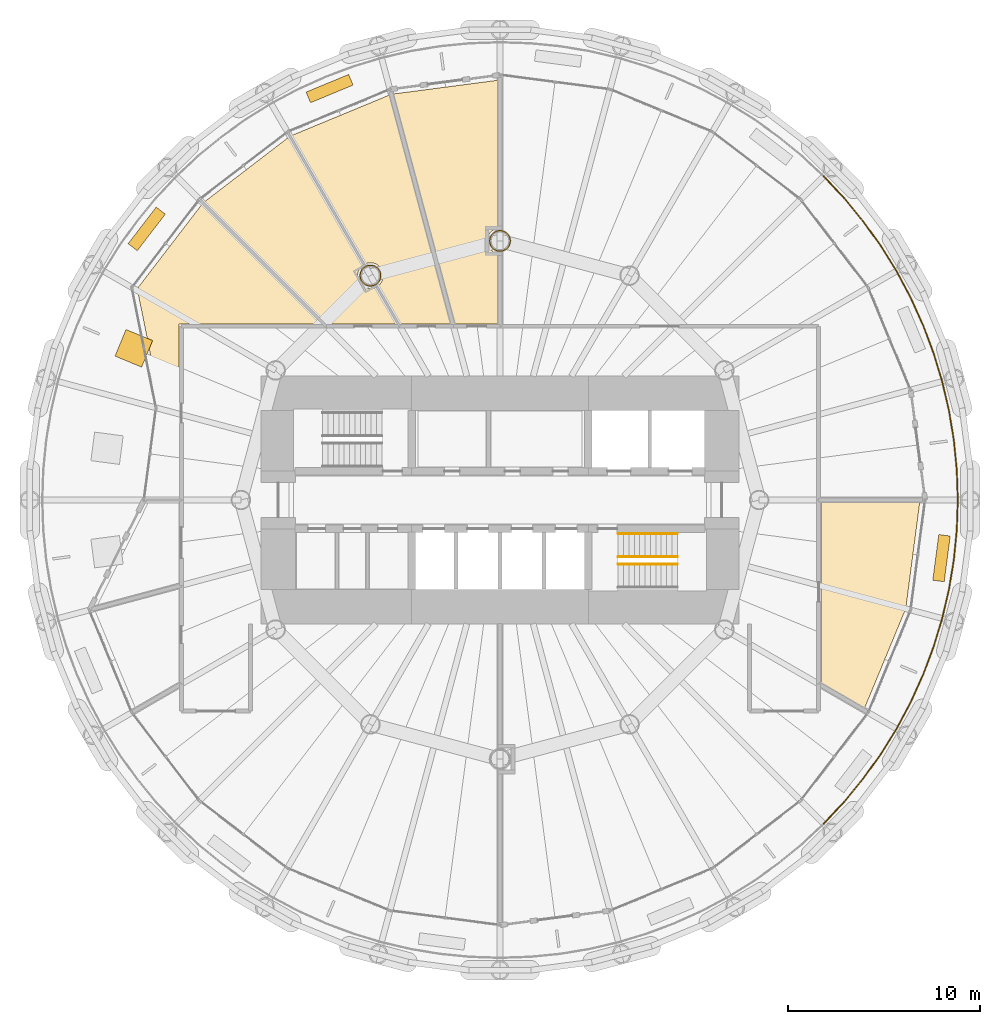
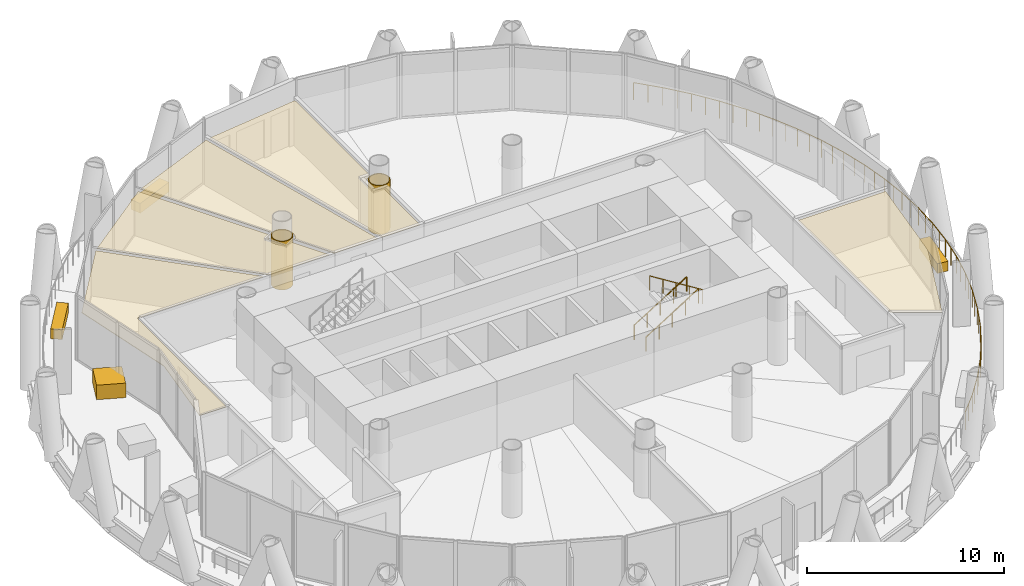
# One storey, part 15 of 16: 11 coverings, 4 railings.
"""IFC4 building model written with IfcOpenShell, lengths in metres."""

from ifc_helpers import new_model, si_unit, direction, frame, origin, origin_2d, place, context, subcontext, project, spatial, polyline, rectangle, circle, outline, extrude, material, layer, layer_set, type_object, element, save


model = new_model("IFC4")

# Units and contexts
model_context = context("Model", 3, precision=1e-05, world=origin(), true_north=direction((0.0, 1.0)))
body_context = subcontext(model_context, "Body", "Model", "MODEL_VIEW")
ifc_project = project(units=[si_unit("LENGTHUNIT", "METRE"), si_unit("AREAUNIT", "SQUARE_METRE"), si_unit("VOLUMEUNIT", "CUBIC_METRE"), si_unit("PLANEANGLEUNIT", "RADIAN"), si_unit("MASSUNIT", "GRAM", prefix="KILO")], contexts=[model_context])

# Site, building, storey
site_placement = place(None, origin())
site = spatial("IfcSite", under=ifc_project, at=site_placement, CompositionType="ELEMENT")
building_placement = place(site_placement, origin())
building = spatial("IfcBuilding", under=site, at=building_placement, Name="Qaws Media Tower", CompositionType="ELEMENT")
storey_placement = place(building_placement, frame((0.0, 0.0, 173.0)))
storey = spatial("IfcBuildingStorey", under=building, at=storey_placement, Name="L39", CompositionType="ELEMENT", Elevation=173.0)

# Covering
ifc_material_1 = material(Name="40 perforated acoustic panels with mineral wool backing, suspended", Category="mineral fibre")
ifc_layer_1 = layer(ifc_material_1, 0.0400390625)
ifc_layer_set_1 = layer_set([ifc_layer_1], Name="Acoustic panel ceiling 40")
covering_type_1 = type_object("IfcCoveringType", Name="Acoustic panel ceiling 40", PredefinedType="CEILING", material=ifc_layer_set_1)
covering_1_placement = place(storey_placement, frame((0.0, 0.0, 2.85009765625)))
element("IfcCovering", 1, at=covering_1_placement, inside=storey, type_object=covering_type_1, Name="CL3 ceiling L39-06 Meeting room", PredefinedType="CEILING", context=body_context, shape_type="SweptSolid", body=[
    extrude(outline(polyline([(42.347900390625, 54.81005859375), (41.098388671875, 61.010009765625), (44.455810546875, 65.38525390625), (50.678466796875, 59.16259765625), (43.28759765625, 59.16259765625), (43.28759765625, 50.112548828125), (41.7294921875, 50.112548828125), (42.347900390625, 54.81005859375)])), origin(), (0.0, 0.0, 1.0), 0.039794921875),
])

# Railing
ifc_material_2 = material(Name="Stainless steel and glass guard", Category="steel")
railing_type_1 = type_object("IfcRailingType", Name="Balcony guard 1100", PredefinedType="GUARDRAIL", material=ifc_material_2)
railing_1_placement = place(storey_placement, frame((76.864501953125, 33.135498046875, 0.0)))
element("IfcRailing", 2, at=railing_1_placement, inside=storey, type_object=railing_type_1, Name="GR1 balcony guard L39-4", PredefinedType="GUARDRAIL", context=body_context, shape_type="SweptSolid", body=[
    extrude(circle(Radius=0.02392578125, at=origin_2d()), frame((0.0, 0.0, 1.076171875), z_axis=(0.683576811025, 0.729878581292, 0.0), x_axis=(-0.729878581292, 0.683576811025, 0.0)), (0.0, 0.0, 1.0), 1.560791015625),
    extrude(circle(Radius=0.02392578125, at=origin_2d()), frame((1.06689453125, 1.13916015625, 1.076171875), z_axis=(0.634395723596, 0.773008451366, 0.0), x_axis=(-0.773008451366, 0.634395723596, 0.0)), (0.0, 0.0, 1.0), 1.560546875),
    extrude(circle(Radius=0.02392578125, at=origin_2d()), frame((2.056884765625, 2.345458984375, 1.076171875), z_axis=(0.582465550566, 0.812855388371, 0.0), x_axis=(-0.812855388371, 0.582465550566, 0.0)), (0.0, 0.0, 1.0), 1.56103515625),
    extrude(circle(Radius=0.02392578125, at=origin_2d()), frame((2.966064453125, 3.6142578125, 1.076171875), z_axis=(0.528141483191, 0.849156389443, 0.0), x_axis=(-0.849156389443, 0.528141483191, 0.0)), (0.0, 0.0, 1.0), 1.560546875),
    extrude(circle(Radius=0.02392578125, at=origin_2d()), frame((3.790283203125, 4.939453125, 1.076171875), z_axis=(0.471326923113, 0.881958577003, 0.0), x_axis=(-0.881958577003, 0.471326923113, 0.0)), (0.0, 0.0, 1.0), 1.560791015625),
    extrude(circle(Radius=0.02392578125, at=origin_2d()), frame((4.52587890625, 6.31591796875, 1.076171875), z_axis=(0.412659401438, 0.910885403553, 0.0), x_axis=(-0.910885403553, 0.412659401438, 0.0)), (0.0, 0.0, 1.0), 1.560791015625),
    extrude(circle(Radius=0.02392578125, at=origin_2d()), frame((5.169921875, 7.737548828125, 1.076171875), z_axis=(0.352271731208, 0.935897765459, 0.0), x_axis=(-0.935897765459, 0.352271731208, 0.0)), (0.0, 0.0, 1.0), 1.560791015625),
    extrude(circle(Radius=0.02392578125, at=origin_2d()), frame((5.7197265625, 9.1982421875, 1.076171875), z_axis=(0.290346037683, 0.956921720101, 0.0), x_axis=(-0.956921720101, 0.290346037683, 0.0)), (0.0, 0.0, 1.0), 1.560546875),
    extrude(circle(Radius=0.02392578125, at=origin_2d()), frame((6.1728515625, 10.691650390625, 1.076171875), z_axis=(0.227120829425, 0.973866586777, 0.0), x_axis=(-0.973866586777, 0.227120829425, 0.0)), (0.0, 0.0, 1.0), 1.560791015625),
    extrude(circle(Radius=0.02392578125, at=origin_2d()), frame((6.52734375, 12.211669921875, 1.076171875), z_axis=(0.162851323247, 0.986650620289, 0.0), x_axis=(-0.986650620289, 0.162851323247, 0.0)), (0.0, 0.0, 1.0), 1.560546875),
    extrude(circle(Radius=0.02392578125, at=origin_2d()), frame((6.781494140625, 13.75146484375, 1.076171875), z_axis=(0.097923827319, 0.995193912784, 0.0), x_axis=(-0.995193912784, 0.097923827319, 0.0)), (0.0, 0.0, 1.0), 1.560791015625),
    extrude(circle(Radius=0.02392578125, at=origin_2d()), frame((6.934326171875, 15.3046875, 1.076171875), z_axis=(0.032851252607, 0.999460251937, 0.0), x_axis=(-0.999460251937, 0.032851252607, 0.0)), (0.0, 0.0, 1.0), 1.560546875),
    extrude(circle(Radius=0.02392578125, at=origin_2d()), frame((6.985595703125, 16.864501953125, 1.076171875), z_axis=(-0.032851252607, 0.999460251937, 0.0), x_axis=(-0.999460251937, -0.032851252607, 0.0)), (0.0, 0.0, 1.0), 1.560546875),
    extrude(circle(Radius=0.02392578125, at=origin_2d()), frame((6.934326171875, 18.42431640625, 1.076171875), z_axis=(-0.097923827319, 0.995193912784, 0.0), x_axis=(-0.995193912784, -0.097923827319, 0.0)), (0.0, 0.0, 1.0), 1.560791015625),
    extrude(circle(Radius=0.02392578125, at=origin_2d()), frame((6.781494140625, 19.9775390625, 1.076171875), z_axis=(-0.162851323247, 0.986650620289, 0.0), x_axis=(-0.986650620289, -0.162851323247, 0.0)), (0.0, 0.0, 1.0), 1.560546875),
    extrude(circle(Radius=0.02392578125, at=origin_2d()), frame((6.52734375, 21.517333984375, 1.076171875), z_axis=(-0.227120829425, 0.973866586777, 0.0), x_axis=(-0.973866586777, -0.227120829425, 0.0)), (0.0, 0.0, 1.0), 1.560791015625),
    extrude(circle(Radius=0.02392578125, at=origin_2d()), frame((6.1728515625, 23.037353515625, 1.076171875), z_axis=(-0.290346037683, 0.956921720101, 0.0), x_axis=(-0.956921720101, -0.290346037683, 0.0)), (0.0, 0.0, 1.0), 1.560546875),
    extrude(circle(Radius=0.02392578125, at=origin_2d()), frame((5.7197265625, 24.53076171875, 1.076171875), z_axis=(-0.352271731208, 0.935897765459, 0.0), x_axis=(-0.935897765459, -0.352271731208, 0.0)), (0.0, 0.0, 1.0), 1.560791015625),
    extrude(circle(Radius=0.02392578125, at=origin_2d()), frame((5.169921875, 25.991455078125, 1.076171875), z_axis=(-0.412659401438, 0.910885403553, 0.0), x_axis=(-0.910885403553, -0.412659401438, 0.0)), (0.0, 0.0, 1.0), 1.560791015625),
    extrude(circle(Radius=0.02392578125, at=origin_2d()), frame((4.52587890625, 27.4130859375, 1.076171875), z_axis=(-0.471326923113, 0.881958577003, 0.0), x_axis=(-0.881958577003, -0.471326923113, 0.0)), (0.0, 0.0, 1.0), 1.560791015625),
    extrude(circle(Radius=0.02392578125, at=origin_2d()), frame((3.790283203125, 28.78955078125, 1.076171875), z_axis=(-0.528141483191, 0.849156389443, 0.0), x_axis=(-0.849156389443, -0.528141483191, 0.0)), (0.0, 0.0, 1.0), 1.560546875),
    extrude(circle(Radius=0.02392578125, at=origin_2d()), frame((2.966064453125, 30.11474609375, 1.076171875), z_axis=(-0.582465550566, 0.812855388371, 0.0), x_axis=(-0.812855388371, -0.582465550566, 0.0)), (0.0, 0.0, 1.0), 1.56103515625),
    extrude(circle(Radius=0.02392578125, at=origin_2d()), frame((2.056884765625, 31.383544921875, 1.076171875), z_axis=(-0.634395723596, 0.773008451366, 0.0), x_axis=(-0.773008451366, -0.634395723596, 0.0)), (0.0, 0.0, 1.0), 1.560546875),
    extrude(circle(Radius=0.02392578125, at=origin_2d()), frame((1.06689453125, 32.58984375, 1.076171875), z_axis=(-0.683576811025, 0.729878581292, 0.0), x_axis=(-0.729878581292, -0.683576811025, 0.0)), (0.0, 0.0, 1.0), 1.560791015625),
    extrude(circle(Radius=0.02099609375, at=origin_2d()), origin(), (0.0, 0.0, 1.0), 1.052001953125),
    extrude(circle(Radius=0.02099609375, at=origin_2d()), frame((0.533447265625, 0.569580078125, 0.0)), (0.0, 0.0, 1.0), 1.052001953125),
    extrude(circle(Radius=0.02099609375, at=origin_2d()), frame((1.06689453125, 1.13916015625, 0.0)), (0.0, 0.0, 1.0), 1.052001953125),
    extrude(circle(Radius=0.02099609375, at=origin_2d()), frame((1.56201171875, 1.7421875, 0.0)), (0.0, 0.0, 1.0), 1.052001953125),
    extrude(circle(Radius=0.02099609375, at=origin_2d()), frame((2.056884765625, 2.345458984375, 0.0)), (0.0, 0.0, 1.0), 1.052001953125),
    extrude(circle(Radius=0.02099609375, at=origin_2d()), frame((2.511474609375, 2.97998046875, 0.0)), (0.0, 0.0, 1.0), 1.052001953125),
    extrude(circle(Radius=0.02099609375, at=origin_2d()), frame((2.966064453125, 3.6142578125, 0.0)), (0.0, 0.0, 1.0), 1.052001953125),
    extrude(circle(Radius=0.02099609375, at=origin_2d()), frame((3.378173828125, 4.27685546875, 0.0)), (0.0, 0.0, 1.0), 1.052001953125),
    extrude(circle(Radius=0.02099609375, at=origin_2d()), frame((3.790283203125, 4.939453125, 0.0)), (0.0, 0.0, 1.0), 1.052001953125),
    extrude(circle(Radius=0.02099609375, at=origin_2d()), frame((4.158203125, 5.627685546875, 0.0)), (0.0, 0.0, 1.0), 1.052001953125),
    extrude(circle(Radius=0.02099609375, at=origin_2d()), frame((4.52587890625, 6.31591796875, 0.0)), (0.0, 0.0, 1.0), 1.052001953125),
    extrude(circle(Radius=0.02099609375, at=origin_2d()), frame((4.847900390625, 7.02685546875, 0.0)), (0.0, 0.0, 1.0), 1.052001953125),
    extrude(circle(Radius=0.02099609375, at=origin_2d()), frame((5.169921875, 7.737548828125, 0.0)), (0.0, 0.0, 1.0), 1.052001953125),
    extrude(circle(Radius=0.02099609375, at=origin_2d()), frame((5.44482421875, 8.4677734375, 0.0)), (0.0, 0.0, 1.0), 1.052001953125),
    extrude(circle(Radius=0.02099609375, at=origin_2d()), frame((5.7197265625, 9.1982421875, 0.0)), (0.0, 0.0, 1.0), 1.052001953125),
    extrude(circle(Radius=0.02099609375, at=origin_2d()), frame((5.9462890625, 9.94482421875, 0.0)), (0.0, 0.0, 1.0), 1.052001953125),
    extrude(circle(Radius=0.02099609375, at=origin_2d()), frame((6.1728515625, 10.691650390625, 0.0)), (0.0, 0.0, 1.0), 1.052001953125),
    extrude(circle(Radius=0.02099609375, at=origin_2d()), frame((6.35009765625, 11.45166015625, 0.0)), (0.0, 0.0, 1.0), 1.052001953125),
    extrude(circle(Radius=0.02099609375, at=origin_2d()), frame((6.52734375, 12.211669921875, 0.0)), (0.0, 0.0, 1.0), 1.052001953125),
    extrude(circle(Radius=0.02099609375, at=origin_2d()), frame((6.654296875, 12.9814453125, 0.0)), (0.0, 0.0, 1.0), 1.052001953125),
    extrude(circle(Radius=0.02099609375, at=origin_2d()), frame((6.781494140625, 13.75146484375, 0.0)), (0.0, 0.0, 1.0), 1.052001953125),
    extrude(circle(Radius=0.02099609375, at=origin_2d()), frame((6.85791015625, 14.528076171875, 0.0)), (0.0, 0.0, 1.0), 1.052001953125),
    extrude(circle(Radius=0.02099609375, at=origin_2d()), frame((6.934326171875, 15.3046875, 0.0)), (0.0, 0.0, 1.0), 1.052001953125),
    extrude(circle(Radius=0.02099609375, at=origin_2d()), frame((6.9599609375, 16.08447265625, 0.0)), (0.0, 0.0, 1.0), 1.052001953125),
    extrude(circle(Radius=0.02099609375, at=origin_2d()), frame((6.985595703125, 16.864501953125, 0.0)), (0.0, 0.0, 1.0), 1.052001953125),
    extrude(circle(Radius=0.02099609375, at=origin_2d()), frame((6.9599609375, 17.64453125, 0.0)), (0.0, 0.0, 1.0), 1.052001953125),
    extrude(circle(Radius=0.02099609375, at=origin_2d()), frame((6.934326171875, 18.42431640625, 0.0)), (0.0, 0.0, 1.0), 1.052001953125),
    extrude(circle(Radius=0.02099609375, at=origin_2d()), frame((6.85791015625, 19.200927734375, 0.0)), (0.0, 0.0, 1.0), 1.052001953125),
    extrude(circle(Radius=0.02099609375, at=origin_2d()), frame((6.781494140625, 19.9775390625, 0.0)), (0.0, 0.0, 1.0), 1.052001953125),
    extrude(circle(Radius=0.02099609375, at=origin_2d()), frame((6.654296875, 20.74755859375, 0.0)), (0.0, 0.0, 1.0), 1.052001953125),
    extrude(circle(Radius=0.02099609375, at=origin_2d()), frame((6.52734375, 21.517333984375, 0.0)), (0.0, 0.0, 1.0), 1.052001953125),
    extrude(circle(Radius=0.02099609375, at=origin_2d()), frame((6.35009765625, 22.27734375, 0.0)), (0.0, 0.0, 1.0), 1.052001953125),
    extrude(circle(Radius=0.02099609375, at=origin_2d()), frame((6.1728515625, 23.037353515625, 0.0)), (0.0, 0.0, 1.0), 1.052001953125),
    extrude(circle(Radius=0.02099609375, at=origin_2d()), frame((5.9462890625, 23.7841796875, 0.0)), (0.0, 0.0, 1.0), 1.052001953125),
    extrude(circle(Radius=0.02099609375, at=origin_2d()), frame((5.7197265625, 24.53076171875, 0.0)), (0.0, 0.0, 1.0), 1.052001953125),
    extrude(circle(Radius=0.02099609375, at=origin_2d()), frame((5.44482421875, 25.26123046875, 0.0)), (0.0, 0.0, 1.0), 1.052001953125),
    extrude(circle(Radius=0.02099609375, at=origin_2d()), frame((5.169921875, 25.991455078125, 0.0)), (0.0, 0.0, 1.0), 1.052001953125),
    extrude(circle(Radius=0.02099609375, at=origin_2d()), frame((4.847900390625, 26.7021484375, 0.0)), (0.0, 0.0, 1.0), 1.052001953125),
    extrude(circle(Radius=0.02099609375, at=origin_2d()), frame((4.52587890625, 27.4130859375, 0.0)), (0.0, 0.0, 1.0), 1.052001953125),
    extrude(circle(Radius=0.02099609375, at=origin_2d()), frame((4.158203125, 28.101318359375, 0.0)), (0.0, 0.0, 1.0), 1.052001953125),
    extrude(circle(Radius=0.02099609375, at=origin_2d()), frame((3.790283203125, 28.78955078125, 0.0)), (0.0, 0.0, 1.0), 1.052001953125),
    extrude(circle(Radius=0.02099609375, at=origin_2d()), frame((3.378173828125, 29.4521484375, 0.0)), (0.0, 0.0, 1.0), 1.052001953125),
    extrude(circle(Radius=0.02099609375, at=origin_2d()), frame((2.966064453125, 30.11474609375, 0.0)), (0.0, 0.0, 1.0), 1.052001953125),
    extrude(circle(Radius=0.02099609375, at=origin_2d()), frame((2.511474609375, 30.7490234375, 0.0)), (0.0, 0.0, 1.0), 1.052001953125),
    extrude(circle(Radius=0.02099609375, at=origin_2d()), frame((2.056884765625, 31.383544921875, 0.0)), (0.0, 0.0, 1.0), 1.052001953125),
    extrude(circle(Radius=0.02099609375, at=origin_2d()), frame((1.56201171875, 31.98681640625, 0.0)), (0.0, 0.0, 1.0), 1.052001953125),
    extrude(circle(Radius=0.02099609375, at=origin_2d()), frame((1.06689453125, 32.58984375, 0.0)), (0.0, 0.0, 1.0), 1.052001953125),
    extrude(circle(Radius=0.02099609375, at=origin_2d()), frame((0.533447265625, 33.159423828125, 0.0)), (0.0, 0.0, 1.0), 1.052001953125),
    extrude(circle(Radius=0.02099609375, at=origin_2d()), frame((0.0, 33.72900390625, 0.0)), (0.0, 0.0, 1.0), 1.052001953125),
])

# Coverings
ifc_material_3 = material(Name="Two layers 15 fire-rated gypsum board on steel framing", Category="steel")
ifc_layer_2 = layer(ifc_material_3, 0.050048828125)
ifc_layer_set_2 = layer_set([ifc_layer_2], Name="Column fire casing")
covering_type_2 = type_object("IfcCoveringType", Name="Column fire casing", PredefinedType="CLADDING", material=ifc_layer_set_2)
covering_2_placement = place(storey_placement, origin())
element("IfcCovering", 3, at=covering_2_placement, inside=storey, type_object=covering_type_2, Name="CC1 column casing L39", PredefinedType="CLADDING", context=body_context, shape_type="SweptSolid", body=[
    extrude(outline(polyline([(60.56298828125, 63.5), (60.55810546875, 63.426513671875), (60.543701171875, 63.354248046875), (60.52001953125, 63.284423828125), (60.487548828125, 63.218505859375), (60.44677734375, 63.1572265625), (60.398193359375, 63.101806640625), (60.3427734375, 63.05322265625), (60.281494140625, 63.012451171875), (60.215576171875, 62.97998046875), (60.145751953125, 62.956298828125), (60.073486328125, 62.94189453125), (60.0, 62.93701171875), (59.926513671875, 62.94189453125), (59.854248046875, 62.956298828125), (59.784423828125, 62.97998046875), (59.718505859375, 63.012451171875), (59.6572265625, 63.05322265625), (59.601806640625, 63.101806640625), (59.55322265625, 63.1572265625), (59.512451171875, 63.218505859375), (59.47998046875, 63.284423828125), (59.456298828125, 63.354248046875), (59.44189453125, 63.426513671875), (59.43701171875, 63.5), (59.44189453125, 63.573486328125), (59.456298828125, 63.645751953125), (59.47998046875, 63.715576171875), (59.512451171875, 63.781494140625), (59.55322265625, 63.8427734375), (59.601806640625, 63.898193359375), (59.6572265625, 63.94677734375), (59.718505859375, 63.987548828125), (59.784423828125, 64.02001953125), (59.854248046875, 64.043701171875), (59.926513671875, 64.05810546875), (60.0, 64.06298828125), (60.073486328125, 64.05810546875), (60.145751953125, 64.043701171875), (60.215576171875, 64.02001953125), (60.281494140625, 63.987548828125), (60.3427734375, 63.94677734375), (60.398193359375, 63.898193359375), (60.44677734375, 63.8427734375), (60.487548828125, 63.781494140625), (60.52001953125, 63.715576171875), (60.543701171875, 63.645751953125), (60.55810546875, 63.573486328125), (60.56298828125, 63.5)]), holes=[polyline([(60.510986328125, 63.5), (60.506591796875, 63.433349609375), (60.49365234375, 63.36767578125), (60.47216796875, 63.304443359375), (60.4423828125, 63.244384765625), (60.405517578125, 63.18896484375), (60.361328125, 63.138671875), (60.31103515625, 63.094482421875), (60.255615234375, 63.0576171875), (60.195556640625, 63.02783203125), (60.13232421875, 63.00634765625), (60.066650390625, 62.993408203125), (60.0, 62.989013671875), (59.933349609375, 62.993408203125), (59.86767578125, 63.00634765625), (59.804443359375, 63.02783203125), (59.744384765625, 63.0576171875), (59.68896484375, 63.094482421875), (59.638671875, 63.138671875), (59.594482421875, 63.18896484375), (59.5576171875, 63.244384765625), (59.52783203125, 63.304443359375), (59.50634765625, 63.36767578125), (59.493408203125, 63.433349609375), (59.489013671875, 63.5), (59.493408203125, 63.566650390625), (59.50634765625, 63.63232421875), (59.52783203125, 63.695556640625), (59.5576171875, 63.755615234375), (59.594482421875, 63.81103515625), (59.638671875, 63.861328125), (59.68896484375, 63.905517578125), (59.744384765625, 63.9423828125), (59.804443359375, 63.97216796875), (59.86767578125, 63.99365234375), (59.933349609375, 64.006591796875), (60.0, 64.010986328125), (60.066650390625, 64.006591796875), (60.13232421875, 63.99365234375), (60.195556640625, 63.97216796875), (60.255615234375, 63.9423828125), (60.31103515625, 63.905517578125), (60.361328125, 63.861328125), (60.405517578125, 63.81103515625), (60.4423828125, 63.755615234375), (60.47216796875, 63.695556640625), (60.49365234375, 63.63232421875), (60.506591796875, 63.566650390625), (60.510986328125, 63.5)])]), origin(), (0.0, 0.0, 1.0), 3.011962890625),
])
covering_3_placement = place(storey_placement, origin())
element("IfcCovering", 4, at=covering_3_placement, inside=storey, type_object=covering_type_2, Name="CC1 column casing L39", PredefinedType="CLADDING", context=body_context, shape_type="SweptSolid", body=[
    extrude(outline(polyline([(53.81298828125, 61.69140625), (53.80810546875, 61.617919921875), (53.793701171875, 61.545654296875), (53.77001953125, 61.475830078125), (53.737548828125, 61.409912109375), (53.69677734375, 61.3486328125), (53.648193359375, 61.293212890625), (53.5927734375, 61.24462890625), (53.531494140625, 61.203857421875), (53.465576171875, 61.171142578125), (53.395751953125, 61.1474609375), (53.323486328125, 61.13330078125), (53.25, 61.12841796875), (53.176513671875, 61.13330078125), (53.104248046875, 61.1474609375), (53.034423828125, 61.171142578125), (52.968505859375, 61.203857421875), (52.9072265625, 61.24462890625), (52.851806640625, 61.293212890625), (52.80322265625, 61.3486328125), (52.762451171875, 61.409912109375), (52.72998046875, 61.475830078125), (52.706298828125, 61.545654296875), (52.69189453125, 61.617919921875), (52.68701171875, 61.69140625), (52.69189453125, 61.764892578125), (52.706298828125, 61.837158203125), (52.72998046875, 61.90673828125), (52.762451171875, 61.972900390625), (52.80322265625, 62.0341796875), (52.851806640625, 62.08935546875), (52.9072265625, 62.137939453125), (52.968505859375, 62.178955078125), (53.034423828125, 62.21142578125), (53.104248046875, 62.235107421875), (53.176513671875, 62.24951171875), (53.25, 62.25439453125), (53.323486328125, 62.24951171875), (53.395751953125, 62.235107421875), (53.465576171875, 62.21142578125), (53.531494140625, 62.178955078125), (53.5927734375, 62.137939453125), (53.648193359375, 62.08935546875), (53.69677734375, 62.0341796875), (53.737548828125, 61.972900390625), (53.77001953125, 61.90673828125), (53.793701171875, 61.837158203125), (53.80810546875, 61.764892578125), (53.81298828125, 61.69140625)]), holes=[polyline([(53.760986328125, 61.69140625), (53.756591796875, 61.62451171875), (53.74365234375, 61.55908203125), (53.72216796875, 61.495849609375), (53.6923828125, 61.435791015625), (53.655517578125, 61.38037109375), (53.611328125, 61.330078125), (53.56103515625, 61.285888671875), (53.505615234375, 61.248779296875), (53.445556640625, 61.21923828125), (53.38232421875, 61.19775390625), (53.316650390625, 61.184814453125), (53.25, 61.180419921875), (53.183349609375, 61.184814453125), (53.11767578125, 61.19775390625), (53.054443359375, 61.21923828125), (52.994384765625, 61.248779296875), (52.93896484375, 61.285888671875), (52.888671875, 61.330078125), (52.844482421875, 61.38037109375), (52.8076171875, 61.435791015625), (52.77783203125, 61.495849609375), (52.75634765625, 61.55908203125), (52.743408203125, 61.62451171875), (52.739013671875, 61.69140625), (52.743408203125, 61.758056640625), (52.75634765625, 61.823486328125), (52.77783203125, 61.886962890625), (52.8076171875, 61.94677734375), (52.844482421875, 62.00244140625), (52.888671875, 62.052734375), (52.93896484375, 62.0966796875), (52.994384765625, 62.1337890625), (53.054443359375, 62.163330078125), (53.11767578125, 62.184814453125), (53.183349609375, 62.197998046875), (53.25, 62.202392578125), (53.316650390625, 62.197998046875), (53.38232421875, 62.184814453125), (53.445556640625, 62.163330078125), (53.505615234375, 62.1337890625), (53.56103515625, 62.0966796875), (53.611328125, 62.052734375), (53.655517578125, 62.00244140625), (53.6923828125, 61.94677734375), (53.72216796875, 61.886962890625), (53.74365234375, 61.823486328125), (53.756591796875, 61.758056640625), (53.760986328125, 61.69140625)])]), origin(), (0.0, 0.0, 1.0), 3.011962890625),
])
ifc_material_4 = material(Name="600 x 600 mineral fibre tiles in exposed grid, suspended", Category="mineral fibre")
ifc_layer_3 = layer(ifc_material_4, 0.02001953125)
ifc_layer_set_3 = layer_set([ifc_layer_3], Name="Mineral fibre tile ceiling 20")
covering_type_3 = type_object("IfcCoveringType", Name="Mineral fibre tile ceiling 20", PredefinedType="CEILING", material=ifc_layer_set_3)
covering_4_placement = place(storey_placement, frame((0.0, 0.0, 2.85009765625)))
element("IfcCovering", 5, at=covering_4_placement, inside=storey, type_object=covering_type_3, Name="CL1 ceiling L39-04 Office", PredefinedType="CEILING", context=body_context, shape_type="SweptSolid", body=[
    extrude(outline(polyline([(54.23095703125, 71.09619140625), (57.428466796875, 59.16259765625), (54.83984375, 59.16259765625), (53.676025390625, 61.178466796875), (53.722412109375, 61.218994140625), (53.780029296875, 61.28466796875), (53.82861328125, 61.357421875), (53.8671875, 61.435791015625), (53.895263671875, 61.5185546875), (53.912353515625, 61.604248046875), (53.91796875, 61.69140625), (53.912353515625, 61.778564453125), (53.895263671875, 61.8642578125), (53.8671875, 61.947021484375), (53.82861328125, 62.025390625), (53.780029296875, 62.097900390625), (53.722412109375, 62.163818359375), (53.65673828125, 62.22119140625), (53.583984375, 62.269775390625), (53.505615234375, 62.30859375), (53.4228515625, 62.336669921875), (53.337158203125, 62.353515625), (53.25, 62.359375), (53.162841796875, 62.353515625), (53.0771484375, 62.336669921875), (53.018798828125, 62.31689453125), (49.162109375, 68.99658203125), (54.23095703125, 71.09619140625)])), origin(), (0.0, 0.0, 1.0), 0.02001953125),
])
covering_5_placement = place(storey_placement, frame((0.0, 0.0, 2.85009765625)))
element("IfcCovering", 6, at=covering_5_placement, inside=storey, type_object=covering_type_3, Name="CL1 ceiling L39-05 Office", PredefinedType="CEILING", context=body_context, shape_type="SweptSolid", body=[
    extrude(outline(polyline([(48.96728515625, 68.884033203125), (52.823974609375, 62.204345703125), (52.777587890625, 62.163818359375), (52.719970703125, 62.097900390625), (52.67138671875, 62.025390625), (52.6328125, 61.947021484375), (52.604736328125, 61.8642578125), (52.587646484375, 61.778564453125), (52.58203125, 61.69140625), (52.587646484375, 61.604248046875), (52.604736328125, 61.5185546875), (52.6328125, 61.435791015625), (52.67138671875, 61.357421875), (52.719970703125, 61.28466796875), (52.777587890625, 61.218994140625), (52.84326171875, 61.161376953125), (52.916015625, 61.11279296875), (52.994384765625, 61.07421875), (53.0771484375, 61.046142578125), (53.162841796875, 61.029052734375), (53.25, 61.023193359375), (53.337158203125, 61.029052734375), (53.4228515625, 61.046142578125), (53.481201171875, 61.06591796875), (54.580078125, 59.16259765625), (50.99658203125, 59.16259765625), (44.61474609375, 65.544189453125), (48.96728515625, 68.884033203125)])), origin(), (0.0, 0.0, 1.0), 0.02001953125),
])
covering_6_placement = place(storey_placement, frame((0.0, 0.0, 2.85009765625)))
element("IfcCovering", 7, at=covering_6_placement, inside=storey, type_object=covering_type_3, Name="CL1 ceiling L39-11 Communications office", PredefinedType="CEILING", context=body_context, shape_type="SweptSolid", body=[
    extrude(outline(polyline([(81.139404296875, 44.335693359375), (78.99658203125, 39.162109375), (76.71240234375, 40.48095703125), (76.71240234375, 49.887451171875), (81.870361328125, 49.887451171875), (81.139404296875, 44.335693359375)])), origin(), (0.0, 0.0, 1.0), 0.02001953125),
])
ifc_material_5 = material(Name="Precast concrete planter with trailing planting", Category="concrete")
ifc_layer_4 = layer(ifc_material_5, 0.60009765625)
ifc_layer_set_4 = layer_set([ifc_layer_4], Name="Planter 2400x600")
covering_type_4 = type_object("IfcCoveringType", Name="Planter 2400x600", PredefinedType="USERDEFINED", material=ifc_layer_set_4)
for number, where, z_axis, x_axis, name in (
    (8, (51.121826171875, 71.43408203125, 0.0), (0.0, 0.0, 1.0), (-0.923879532511, -0.382683432365, 0.0), "PL1 balcony planter L39-04"),
    (9, (41.59423828125, 64.123291015625, 0.0), (0.0, 0.0, 1.0), (-0.608761429009, -0.793353340291, 0.0), "PL1 balcony planter L39-05"),
    (10, (83.00146484375, 46.9716796875, 0.0), (0.0, 0.0, 1.0), (0.13052619222, 0.991444861374, 0.0), "PL1 balcony planter L39-12"),
):
    element("IfcCovering", number, at=place(storey_placement, frame(where, z_axis=z_axis, x_axis=x_axis)), inside=storey, type_object=covering_type_4, Name=name, ObjectType="PLANTER", PredefinedType="USERDEFINED", context=body_context, shape_type="SweptSolid", body=[
        extrude(rectangle(XDim=2.39990234375, YDim=0.60009765625, at=origin_2d()), origin(), (0.0, 0.0, 1.0), 0.60009765625),
    ])
ifc_material_6 = material(Name="Two layers 12.5 moisture-resistant plasterboard on suspended metal furring", Category="gypsum")
ifc_layer_5 = layer(ifc_material_6, 0.02490234375)
ifc_layer_set_5 = layer_set([ifc_layer_5], Name="Plasterboard ceiling 25")
covering_type_5 = type_object("IfcCoveringType", Name="Plasterboard ceiling 25", PredefinedType="CEILING", material=ifc_layer_set_5)
covering_7_placement = place(storey_placement, frame((0.0, 0.0, 2.85009765625)))
element("IfcCovering", 11, at=covering_7_placement, inside=storey, type_object=covering_type_5, Name="CL2 ceiling L39-03 Strategy reception", PredefinedType="CEILING", context=body_context, shape_type="SweptSolid", body=[
    extrude(outline(polyline([(59.887451171875, 71.870361328125), (59.887451171875, 64.1572265625), (59.8271484375, 64.145263671875), (59.744384765625, 64.1171875), (59.666015625, 64.07861328125), (59.59326171875, 64.030029296875), (59.527587890625, 63.972412109375), (59.469970703125, 63.90673828125), (59.42138671875, 63.833984375), (59.3828125, 63.755615234375), (59.354736328125, 63.6728515625), (59.337646484375, 63.587158203125), (59.33203125, 63.5), (59.337646484375, 63.412841796875), (59.354736328125, 63.3271484375), (59.3828125, 63.244384765625), (59.42138671875, 63.166015625), (59.469970703125, 63.09326171875), (59.527587890625, 63.027587890625), (59.59326171875, 62.969970703125), (59.666015625, 62.92138671875), (59.744384765625, 62.8828125), (59.8271484375, 62.854736328125), (59.887451171875, 62.8427734375), (59.887451171875, 59.16259765625), (57.661376953125, 59.16259765625), (54.4482421875, 71.154296875), (59.887451171875, 71.870361328125)])), origin(), (0.0, 0.0, 1.0), 0.02490234375),
])

# Railings
ifc_material_7 = material(Name="Steel tube handrail", Category="steel")
railing_type_2 = type_object("IfcRailingType", Name="Stair handrail 900", PredefinedType="HANDRAIL", material=ifc_material_7)
for number, where, name in (
    (12, (66.159912109375, 48.25, 0.175048828125), "HR1 handrail S2 flight 1 L39"),
    (13, (66.159912109375, 47.0400390625, 0.175048828125), "HR1 handrail S2 flight 1 L39"),
):
    element("IfcRailing", number, at=place(storey_placement, frame(where)), inside=storey, type_object=railing_type_2, Name=name, PredefinedType="HANDRAIL", context=body_context, shape_type="SweptSolid", body=[
        extrude(circle(Radius=0.02392578125, at=origin_2d()), frame((0.0, 0.0, 0.8759765625), z_axis=(0.847998304005, 0.0, 0.529998940003), x_axis=(0.0, 1.0, 0.0)), (0.0, 0.0, 1.0), 3.632080078125),
        extrude(circle(Radius=0.02099609375, at=origin_2d()), origin(), (0.0, 0.0, 1.0), 0.851806640625),
        extrude(circle(Radius=0.02099609375, at=origin_2d()), frame((0.77001953125, 0.0, 0.481201171875)), (0.0, 0.0, 1.0), 0.851806640625),
        extrude(circle(Radius=0.02099609375, at=origin_2d()), frame((1.5400390625, 0.0, 0.96240234375)), (0.0, 0.0, 1.0), 0.851806640625),
        extrude(circle(Radius=0.02099609375, at=origin_2d()), frame((2.31005859375, 0.0, 1.44384765625)), (0.0, 0.0, 1.0), 0.851806640625),
        extrude(circle(Radius=0.02099609375, at=origin_2d()), frame((3.080078125, 0.0, 1.925048828125)), (0.0, 0.0, 1.0), 0.851806640625),
    ])
railing_2_placement = place(storey_placement, frame((69.239990234375, 46.659912109375, 2.27490234375)))
element("IfcRailing", 14, at=railing_2_placement, inside=storey, type_object=railing_type_2, Name="HR1 handrail S2 flight 2 L39", PredefinedType="HANDRAIL", context=body_context, shape_type="SweptSolid", body=[
    extrude(circle(Radius=0.02392578125, at=origin_2d()), frame((0.0, 0.0, 0.8759765625), z_axis=(-0.847998304005, 0.0, 0.529998940003), x_axis=(0.0, -1.0, 0.0)), (0.0, 0.0, 1.0), 3.632080078125),
    extrude(circle(Radius=0.02099609375, at=origin_2d()), origin(), (0.0, 0.0, 1.0), 0.851806640625),
    extrude(circle(Radius=0.02099609375, at=origin_2d()), frame((-0.77001953125, 0.0, 0.481201171875)), (0.0, 0.0, 1.0), 0.851806640625),
    extrude(circle(Radius=0.02099609375, at=origin_2d()), frame((-1.5400390625, 0.0, 0.96240234375)), (0.0, 0.0, 1.0), 0.851806640625),
    extrude(circle(Radius=0.02099609375, at=origin_2d()), frame((-2.31005859375, 0.0, 1.44384765625)), (0.0, 0.0, 1.0), 0.851806640625),
    extrude(circle(Radius=0.02099609375, at=origin_2d()), frame((-3.080078125, 0.0, 1.925048828125)), (0.0, 0.0, 1.0), 0.851806640625),
])

# Covering
ifc_material_8 = material(Name="Precast concrete tree planter", Category="concrete")
ifc_layer_6 = layer(ifc_material_8, 0.89990234375)
ifc_layer_set_6 = layer_set([ifc_layer_6], Name="Tree planter 1500")
covering_type_6 = type_object("IfcCoveringType", Name="Tree planter 1500", PredefinedType="USERDEFINED", material=ifc_layer_set_6)
covering_8_placement = place(storey_placement, frame((40.921875, 57.90234375, 0.0), z_axis=(0.0, 0.0, 1.0), x_axis=(-0.923879532511, 0.382683432365, 0.0)))
element("IfcCovering", 15, at=covering_8_placement, inside=storey, type_object=covering_type_6, Name="PL2 sky garden tree planter L39-1", ObjectType="PLANTER", PredefinedType="USERDEFINED", context=body_context, shape_type="SweptSolid", body=[
    extrude(rectangle(XDim=1.5, YDim=1.5, at=origin_2d()), origin(), (0.0, 0.0, 1.0), 0.89990234375),
])

save(model, "model.ifc")
